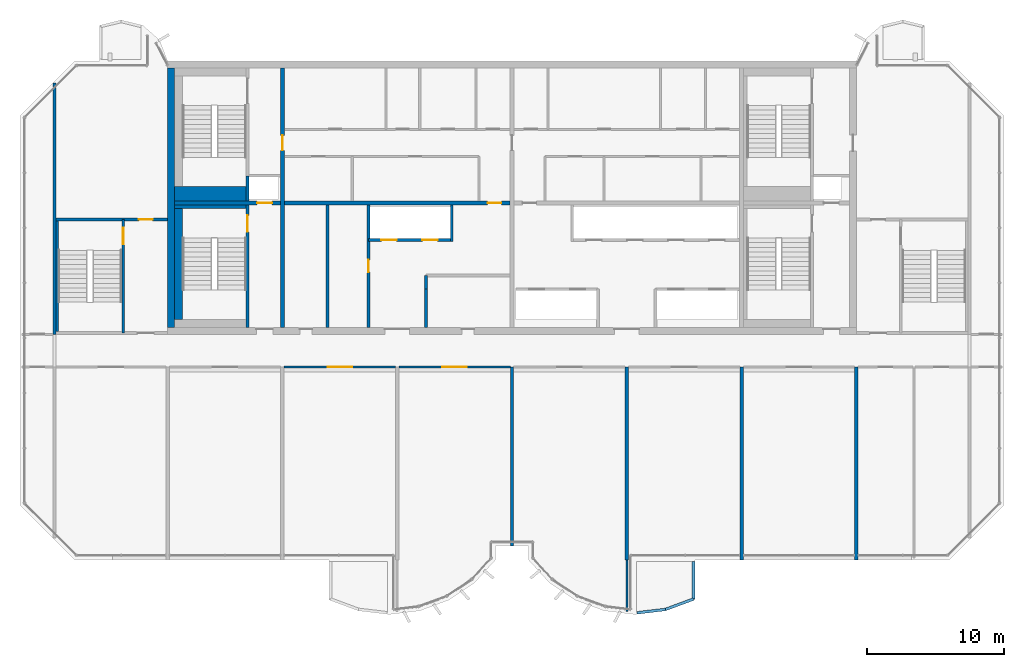
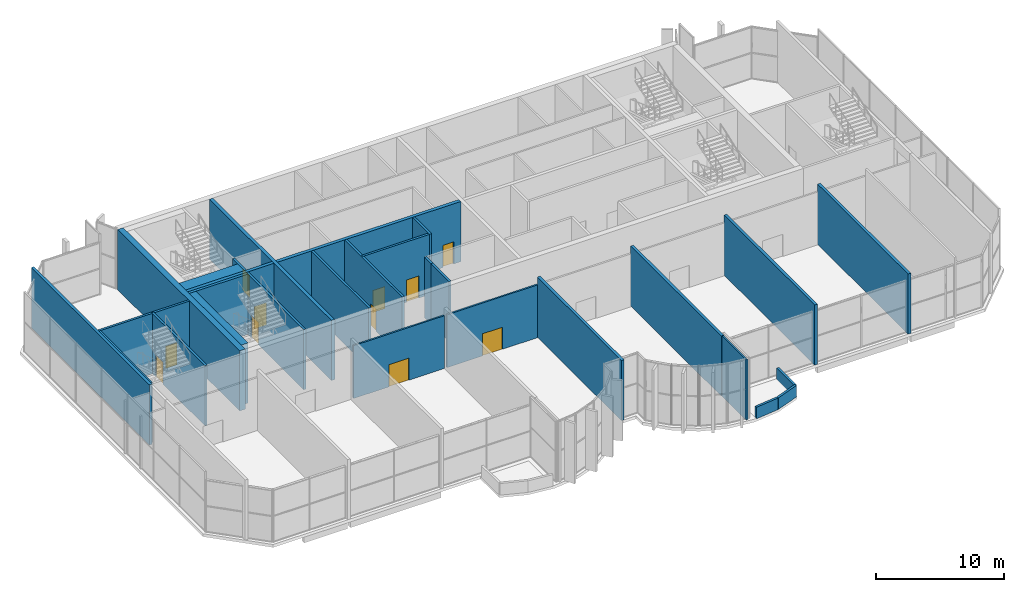
# One storey, part 13 of 17: 29 walls, 11 doors, 11 openings.
"""IFC4 building model written with IfcOpenShell, lengths in metres."""

from ifc_helpers import new_model, si_unit, direction, frame, frame_2d, origin, place, context, subcontext, project, spatial, rectangle, extrude, source, transform, mapped, material, layer, layer_set, type_object, element, fill, save


model = new_model("IFC4")

# Units and contexts
model_context = context("Model", 3, precision=1e-05, world=origin(), true_north=direction((0.0, 1.0)))
body_context = subcontext(model_context, "Body", "Model", "MODEL_VIEW")
ifc_project = project(units=[si_unit("LENGTHUNIT", "METRE"), si_unit("AREAUNIT", "SQUARE_METRE"), si_unit("VOLUMEUNIT", "CUBIC_METRE"), si_unit("PLANEANGLEUNIT", "RADIAN"), si_unit("MASSUNIT", "GRAM", prefix="KILO")], contexts=[model_context])

# Site, building, storey
site_placement = place(None, origin())
site = spatial("IfcSite", under=ifc_project, at=site_placement, CompositionType="ELEMENT")
building_placement = place(site_placement, origin())
building = spatial("IfcBuilding", under=site, at=building_placement, Name="Vanashikhar Sky Hotel", CompositionType="ELEMENT")
storey_placement = place(building_placement, frame((0.0, 0.0, 323.699951171875)))
storey = spatial("IfcBuildingStorey", under=building, at=storey_placement, Name="L77", CompositionType="ELEMENT", Elevation=323.699951171875)

# Wall
ifc_material_1 = material(Name="Concrete M50", Category="concrete")
ifc_layer_1 = layer(ifc_material_1, 0.5)
ifc_layer_set_1 = layer_set([ifc_layer_1], Name="RC core shell wall 500 Concrete M50")
wall_type_1 = type_object("IfcWallType", Name="RC core shell wall 500 Concrete M50", PredefinedType="SHEAR", material=ifc_layer_set_1)
shared_shape_1 = source(origin(), body_context, "Body", "SweptSolid", [
    extrude(rectangle(XDim=19.0, YDim=0.5, at=frame_2d((9.5, 0.0))), origin(), (0.0, 0.0, 1.0), 5.719970703125),
])
wall_1_placement = place(storey_placement, frame((25.449951171875, 22.5, 0.0), z_axis=(0.0, 0.0, 1.0), x_axis=(0.0, 1.0, 0.0)))
element("IfcWall", 1, at=wall_1_placement, inside=storey, type_object=wall_type_1, Name="KW-L77-KW", PredefinedType="SHEAR", context=body_context, shape_type="MappedRepresentation", body=[
    mapped(shared_shape_1, transform((0.0, 0.0, 0.0), scale=1.0)),
])

# Wall, opening, door
ifc_layer_2 = layer(ifc_material_1, 0.300048828125)
ifc_layer_set_2 = layer_set([ifc_layer_2], Name="RC core inner wall 300 Concrete M50")
wall_type_2 = type_object("IfcWallType", Name="RC core inner wall 300 Concrete M50", PredefinedType="SHEAR", material=ifc_layer_set_2)
shared_shape_2 = source(origin(), body_context, "Body", "SweptSolid", [
    extrude(rectangle(XDim=19.0, YDim=0.300048828125, at=frame_2d((9.5, 0.0))), origin(), (0.0, 0.0, 1.0), 5.719970703125),
])
wall_2_placement = place(storey_placement, frame((33.60009765625, 22.5, 0.0), z_axis=(0.0, 0.0, 1.0), x_axis=(0.0, 1.0, 0.0)))
wall_2 = element("IfcWall", 2, at=wall_2_placement, inside=storey, type_object=wall_type_2, Name="KW-L77-KX1", PredefinedType="SHEAR", context=body_context, shape_type="MappedRepresentation", body=[
    mapped(shared_shape_2, transform((0.0, 0.0, 0.0), scale=1.0)),
])
shared_shape_3 = source(origin(), body_context, "Body", "SweptSolid", [
    extrude(rectangle(XDim=1.10009765625, YDim=2.10009765625, at=frame_2d((0.550048828125, 1.050048828125))), frame((0.0, 0.16015625, 0.0), z_axis=(0.0, -1.0, 0.0), x_axis=(1.0, 0.0, 0.0)), (0.0, 0.0, 1.0), 0.320068359375),
])
opening_1_placement = place(wall_2_placement, frame((12.949951171875, 0.0, 0.0)))
opening_1 = element("IfcOpeningElement", 3, at=opening_1_placement, cuts=wall_2, Name="Opening DC-4-C", PredefinedType="OPENING", context=body_context, shape_type="MappedRepresentation", body=[
    mapped(shared_shape_3, transform((0.0, 0.0, 0.0), scale=1.0)),
])
ifc_material_2 = material(Name="Steel", Category="steel")
door_type_1 = type_object("IfcDoorType", Name="Service door 1100 FD60", OperationType="NOTDEFINED", PredefinedType="DOOR", material=ifc_material_2)
shared_shape_4 = source(origin(), body_context, "Body", "SweptSolid", [
    extrude(rectangle(XDim=1.10009765625, YDim=2.10009765625, at=frame_2d((0.550048828125, 1.050048828125))), frame((0.0, 0.02490234375, 0.0), z_axis=(0.0, -1.0, 0.0), x_axis=(1.0, 0.0, 0.0)), (0.0, 0.0, 1.0), 0.050048828125),
])
door_1_placement = place(opening_1_placement, origin())
door_1 = element("IfcDoor", 4, at=door_1_placement, inside=storey, type_object=door_type_1, Name="Service door 1100 FD60", OperationType="SINGLE_SWING_RIGHT", OverallHeight=2.10009765625, OverallWidth=1.10009765625, PredefinedType="DOOR", context=body_context, shape_type="MappedRepresentation", body=[
    mapped(shared_shape_4, transform((0.0, 0.0, 0.0), scale=1.0)),
])
fill(opening_1, door_1)

shared_shape_5 = source(origin(), body_context, "Body", "SweptSolid", [
    extrude(rectangle(XDim=7.75, YDim=0.300048828125, at=frame_2d((3.875, 0.0))), origin(), (0.0, 0.0, 1.0), 5.719970703125),
])
wall_3_placement = place(storey_placement, frame((25.699951171875, 31.60009765625, 0.0), z_axis=(0.0, 0.0, 1.0), x_axis=(1.0, 0.0, 0.0)))
wall_3 = element("IfcWall", 5, at=wall_3_placement, inside=storey, type_object=wall_type_2, Name="KW-L77-KY1", PredefinedType="SHEAR", context=body_context, shape_type="MappedRepresentation", body=[
    mapped(shared_shape_5, transform((0.0, 0.0, 0.0), scale=1.0)),
])
opening_2_placement = place(wall_3_placement, frame((6.050048828125, 0.0, 0.0)))
opening_2 = element("IfcOpeningElement", 6, at=opening_2_placement, cuts=wall_3, Name="Opening LD", PredefinedType="OPENING", context=body_context, shape_type="MappedRepresentation", body=[
    mapped(shared_shape_3, transform((0.0, 0.0, 0.0), scale=1.0)),
])
ifc_material_3 = material(Name="Stainless steel", Category="steel")
door_type_2 = type_object("IfcDoorType", Name="Lift landing door 1100", OperationType="NOTDEFINED", PredefinedType="DOOR", material=ifc_material_3)
door_2_placement = place(opening_2_placement, origin())
door_2 = element("IfcDoor", 7, at=door_2_placement, inside=storey, type_object=door_type_2, Name="Lift landing door 1100", OperationType="SLIDING_TO_LEFT", OverallHeight=2.10009765625, OverallWidth=1.10009765625, PredefinedType="DOOR", context=body_context, shape_type="MappedRepresentation", body=[
    mapped(shared_shape_4, transform((0.0, 0.0, 0.0), scale=1.0)),
])
fill(opening_2, door_2)

shared_shape_6 = source(origin(), body_context, "Body", "SweptSolid", [
    extrude(rectangle(XDim=16.5, YDim=0.300048828125, at=frame_2d((8.25, 0.0))), origin(), (0.0, 0.0, 1.0), 5.719970703125),
])
wall_4_placement = place(storey_placement, frame((33.75, 31.60009765625, 0.0), z_axis=(0.0, 0.0, 1.0), x_axis=(1.0, 0.0, 0.0)))
wall_4 = element("IfcWall", 8, at=wall_4_placement, inside=storey, type_object=wall_type_2, Name="KW-L77-KY2", PredefinedType="SHEAR", context=body_context, shape_type="MappedRepresentation", body=[
    mapped(shared_shape_6, transform((0.0, 0.0, 0.0), scale=1.0)),
])
shared_shape_7 = source(origin(), body_context, "Body", "SweptSolid", [
    extrude(rectangle(XDim=1.0, YDim=2.10009765625, at=frame_2d((0.5, 1.050048828125))), frame((0.0, 0.16015625, 0.0), z_axis=(0.0, -1.0, 0.0), x_axis=(1.0, 0.0, 0.0)), (0.0, 0.0, 1.0), 0.320068359375),
])
opening_3_placement = place(wall_4_placement, frame((14.875, 0.0, 0.0)))
opening_3 = element("IfcOpeningElement", 9, at=opening_3_placement, cuts=wall_4, Name="Opening DC-4", PredefinedType="OPENING", context=body_context, shape_type="MappedRepresentation", body=[
    mapped(shared_shape_7, transform((0.0, 0.0, 0.0), scale=1.0)),
])
door_type_3 = type_object("IfcDoorType", Name="Service door 1000 FD60", OperationType="NOTDEFINED", PredefinedType="DOOR", material=ifc_material_2)
shared_shape_8 = source(origin(), body_context, "Body", "SweptSolid", [
    extrude(rectangle(XDim=1.0, YDim=2.10009765625, at=frame_2d((0.5, 1.050048828125))), frame((0.0, 0.02490234375, 0.0), z_axis=(0.0, -1.0, 0.0), x_axis=(1.0, 0.0, 0.0)), (0.0, 0.0, 1.0), 0.050048828125),
])
door_3_placement = place(opening_3_placement, origin())
door_3 = element("IfcDoor", 10, at=door_3_placement, inside=storey, type_object=door_type_3, Name="Service door 1000 FD60", OperationType="SINGLE_SWING_LEFT", OverallHeight=2.10009765625, OverallWidth=1.0, PredefinedType="DOOR", context=body_context, shape_type="MappedRepresentation", body=[
    mapped(shared_shape_8, transform((0.0, 0.0, 0.0), scale=1.0)),
])
fill(opening_3, door_3)

# Walls
ifc_layer_3 = layer(ifc_material_1, 0.25)
ifc_layer_set_3 = layer_set([ifc_layer_3], Name="RC shear wall 250 Concrete M50")
wall_type_3 = type_object("IfcWallType", Name="RC shear wall 250 Concrete M50", PredefinedType="SHEAR", material=ifc_layer_set_3)
shared_shape_9 = source(origin(), body_context, "Body", "SweptSolid", [
    extrude(rectangle(XDim=18.39990234375, YDim=0.25, at=frame_2d((9.199951171875, 0.0))), origin(), (0.0, 0.0, 1.0), 5.719970703125),
])
wall_5_placement = place(storey_placement, frame((16.925048828125, 22.0, 0.0), z_axis=(0.0, 0.0, 1.0), x_axis=(0.0, 1.0, 0.0)))
element("IfcWall", 11, at=wall_5_placement, inside=storey, type_object=wall_type_3, Name="CW-L77-XW03-2", PredefinedType="SHEAR", context=body_context, shape_type="MappedRepresentation", body=[
    mapped(shared_shape_9, transform((0.0, 0.0, 0.0), scale=1.0)),
])
shared_shape_10 = source(origin(), body_context, "Body", "SweptSolid", [
    extrude(rectangle(XDim=14.10009765625, YDim=0.25, at=frame_2d((7.050048828125, 0.0))), origin(), (0.0, 0.0, 1.0), 5.719970703125),
])
for number, where, z_axis, x_axis, name in (
    (12, (58.800048828125, 5.5, 0.0), (0.0, 0.0, 1.0), (0.0, 1.0, 0.0), "CW-L77-XW08-1"),
    (13, (67.199951171875, 5.5, 0.0), (0.0, 0.0, 1.0), (0.0, 1.0, 0.0), "CW-L77-XW09-1"),
    (14, (75.60009765625, 5.5, 0.0), (0.0, 0.0, 1.0), (0.0, 1.0, 0.0), "CW-L77-XW10-1"),
):
    element("IfcWall", number, at=place(storey_placement, frame(where, z_axis=z_axis, x_axis=x_axis)), inside=storey, type_object=wall_type_3, Name=name, PredefinedType="SHEAR", context=body_context, shape_type="MappedRepresentation", body=[
        mapped(shared_shape_10, transform((0.0, 0.0, 0.0), scale=1.0)),
    ])
shared_shape_11 = source(origin(), body_context, "Body", "SweptSolid", [
    extrude(rectangle(XDim=13.10009765625, YDim=0.25, at=frame_2d((6.550048828125, 0.0))), origin(), (0.0, 0.0, 1.0), 5.719970703125),
])
wall_6_placement = place(storey_placement, frame((50.39990234375, 6.5, 0.0), z_axis=(0.0, 0.0, 1.0), x_axis=(0.0, 1.0, 0.0)))
element("IfcWall", 15, at=wall_6_placement, inside=storey, type_object=wall_type_3, Name="CW-L77-XW07-1", PredefinedType="SHEAR", context=body_context, shape_type="MappedRepresentation", body=[
    mapped(shared_shape_11, transform((0.0, 0.0, 0.0), scale=1.0)),
])
ifc_layer_4 = layer(ifc_material_1, 0.199951171875)
ifc_layer_set_4 = layer_set([ifc_layer_4], Name="Parapet 200")
wall_type_4 = type_object("IfcWallType", Name="Parapet 200", PredefinedType="PARAPET", material=ifc_layer_set_4)
shared_shape_12 = source(origin(), body_context, "Body", "SweptSolid", [
    extrude(rectangle(XDim=2.10498046875, YDim=0.199951171875, at=frame_2d((1.052490234375, 0.0))), origin(), (0.0, 0.0, 1.0), 1.10009765625),
])
wall_7_placement = place(storey_placement, frame((61.63037109375, 1.867919921875, -0.050048828125), z_axis=(0.0, 0.0, 1.0), x_axis=(-0.992992163316, -0.118180216587, 0.0)))
element("IfcWall", 16, at=wall_7_placement, inside=storey, type_object=wall_type_4, Name="Roof parapet", PredefinedType="PARAPET", context=body_context, shape_type="MappedRepresentation", body=[
    mapped(shared_shape_12, transform((0.0, 0.0, 0.0), scale=1.0)),
])
shared_shape_13 = source(origin(), body_context, "Body", "SweptSolid", [
    extrude(rectangle(XDim=2.7314453125, YDim=0.199951171875, at=frame_2d((1.36572265625, 0.0))), origin(), (0.0, 0.0, 1.0), 1.10009765625),
])
wall_8_placement = place(storey_placement, frame((63.680908203125, 5.360107421875, -0.050048828125), z_axis=(0.0, 0.0, 1.0), x_axis=(0.0, -1.0, 0.0)))
element("IfcWall", 17, at=wall_8_placement, inside=storey, type_object=wall_type_4, Name="Roof parapet", PredefinedType="PARAPET", context=body_context, shape_type="MappedRepresentation", body=[
    mapped(shared_shape_13, transform((0.0, 0.0, 0.0), scale=1.0)),
])
shared_shape_14 = source(origin(), body_context, "Body", "SweptSolid", [
    extrude(rectangle(XDim=2.18701171875, YDim=0.199951171875, at=frame_2d((1.093505859375, 0.0))), origin(), (0.0, 0.0, 1.0), 1.10009765625),
])
wall_9_placement = place(storey_placement, frame((63.680908203125, 2.628662109375, -0.050048828125), z_axis=(0.0, 0.0, 1.0), x_axis=(-0.937557411476, -0.347830562467, 0.0)))
element("IfcWall", 18, at=wall_9_placement, inside=storey, type_object=wall_type_4, Name="Roof parapet", PredefinedType="PARAPET", context=body_context, shape_type="MappedRepresentation", body=[
    mapped(shared_shape_14, transform((0.0, 0.0, 0.0), scale=1.0)),
])

# Wall, openings, doors
ifc_material_4 = material(Name="Concrete M40", Category="concrete")
ifc_layer_5 = layer(ifc_material_4, 0.199951171875)
ifc_layer_set_5 = layer_set([ifc_layer_5], Name="Shaft wall 200")
wall_type_5 = type_object("IfcWallType", Name="Shaft wall 200", PredefinedType="SOLIDWALL", material=ifc_layer_set_5)
shared_shape_15 = source(origin(), body_context, "Body", "SweptSolid", [
    extrude(rectangle(XDim=6.0, YDim=0.199951171875, at=frame_2d((3.0, 0.0))), origin(), (0.0, 0.0, 1.0), 5.719970703125),
])
wall_10_placement = place(storey_placement, frame((39.89990234375, 28.89990234375, 0.0), z_axis=(0.0, 0.0, 1.0), x_axis=(1.0, 0.0, 0.0)))
wall_10 = element("IfcWall", 19, at=wall_10_placement, inside=storey, type_object=wall_type_5, Name="Shaft wall 200", PredefinedType="SOLIDWALL", context=body_context, shape_type="MappedRepresentation", body=[
    mapped(shared_shape_15, transform((0.0, 0.0, 0.0), scale=1.0)),
])
shared_shape_16 = source(origin(), body_context, "Body", "SweptSolid", [
    extrude(rectangle(XDim=1.10009765625, YDim=2.10009765625, at=frame_2d((0.550048828125, 1.050048828125))), frame((0.0, 0.10986328125, 0.0), z_axis=(0.0, -1.0, 0.0), x_axis=(1.0, 0.0, 0.0)), (0.0, 0.0, 1.0), 0.219970703125),
])
opening_4_placement = place(wall_10_placement, frame((0.949951171875, 0.0, 0.0)))
opening_4 = element("IfcOpeningElement", 20, at=opening_4_placement, cuts=wall_10, Name="Opening LD", PredefinedType="OPENING", context=body_context, shape_type="MappedRepresentation", body=[
    mapped(shared_shape_16, transform((0.0, 0.0, 0.0), scale=1.0)),
])
opening_5_placement = place(wall_10_placement, frame((3.949951171875, 0.0, 0.0)))
opening_5 = element("IfcOpeningElement", 21, at=opening_5_placement, cuts=wall_10, Name="Opening LD", PredefinedType="OPENING", context=body_context, shape_type="MappedRepresentation", body=[
    mapped(shared_shape_16, transform((0.0, 0.0, 0.0), scale=1.0)),
])
door_4_placement = place(opening_4_placement, origin())
door_4 = element("IfcDoor", 22, at=door_4_placement, inside=storey, type_object=door_type_2, Name="Lift landing door 1100", OperationType="SLIDING_TO_LEFT", OverallHeight=2.10009765625, OverallWidth=1.10009765625, PredefinedType="DOOR", context=body_context, shape_type="MappedRepresentation", body=[
    mapped(shared_shape_4, transform((0.0, 0.0, 0.0), scale=1.0)),
])
fill(opening_4, door_4)
door_5_placement = place(opening_5_placement, origin())
door_5 = element("IfcDoor", 23, at=door_5_placement, inside=storey, type_object=door_type_2, Name="Lift landing door 1100", OperationType="SLIDING_TO_RIGHT", OverallHeight=2.10009765625, OverallWidth=1.10009765625, PredefinedType="DOOR", context=body_context, shape_type="MappedRepresentation", body=[
    mapped(shared_shape_4, transform((0.0, 0.0, 0.0), scale=1.0)),
])
fill(opening_5, door_5)

# Wall
ifc_material_5 = material(Name="Gypsum board partition")
ifc_layer_6 = layer(ifc_material_5, 0.14990234375)
ifc_layer_set_6 = layer_set([ifc_layer_6], Name="Service partition 150")
wall_type_6 = type_object("IfcWallType", Name="Service partition 150", PredefinedType="PARTITIONING", material=ifc_layer_set_6)
shared_shape_17 = source(origin(), body_context, "Body", "SweptSolid", [
    extrude(rectangle(XDim=1.0, YDim=0.199951171875, at=frame_2d((0.5, 0.0))), origin(), (0.0, 0.0, 1.0), 5.719970703125),
])
wall_11_placement = place(storey_placement, frame((44.10009765625, 25.300048828125, 0.0), z_axis=(0.0, 0.0, 1.0), x_axis=(0.0, 1.0, 0.0)))
element("IfcWall", 24, at=wall_11_placement, inside=storey, type_object=wall_type_6, Name="Service partition 150", PredefinedType="PARTITIONING", context=body_context, shape_type="MappedRepresentation", body=[
    mapped(shared_shape_17, transform((0.0, 0.0, 0.0), scale=1.0)),
])

# Wall, opening, door
ifc_layer_7 = layer(ifc_material_1, 0.199951171875)
ifc_layer_set_7 = layer_set([ifc_layer_7], Name="Stair wall 200")
wall_type_7 = type_object("IfcWallType", Name="Stair wall 200", PredefinedType="SOLIDWALL", material=ifc_layer_set_7)
shared_shape_18 = source(origin(), body_context, "Body", "SweptSolid", [
    extrude(rectangle(XDim=8.2998046875, YDim=0.199951171875, at=frame_2d((4.14990234375, 0.0))), origin(), (0.0, 0.0, 1.0), 5.719970703125),
])
wall_12_placement = place(storey_placement, frame((21.949951171875, 22.10009765625, 0.0), z_axis=(0.0, 0.0, 1.0), x_axis=(0.0, 1.0, 0.0)))
wall_12 = element("IfcWall", 25, at=wall_12_placement, inside=storey, type_object=wall_type_7, Name="Stair wall 200", PredefinedType="SOLIDWALL", context=body_context, shape_type="MappedRepresentation", body=[
    mapped(shared_shape_18, transform((0.0, 0.0, 0.0), scale=1.0)),
])
shared_shape_19 = source(origin(), body_context, "Body", "SweptSolid", [
    extrude(rectangle(XDim=1.199951171875, YDim=2.10009765625, at=frame_2d((0.60009765625, 1.050048828125))), frame((0.0, 0.10986328125, 0.0), z_axis=(0.0, -1.0, 0.0), x_axis=(1.0, 0.0, 0.0)), (0.0, 0.0, 1.0), 0.219970703125),
])
opening_6_placement = place(wall_12_placement, frame((6.5, 0.0, 0.0)))
opening_6 = element("IfcOpeningElement", 26, at=opening_6_placement, cuts=wall_12, Name="Opening DC-1", PredefinedType="OPENING", context=body_context, shape_type="MappedRepresentation", body=[
    mapped(shared_shape_19, transform((0.0, 0.0, 0.0), scale=1.0)),
])
door_type_4 = type_object("IfcDoorType", Name="Stair door 1200 FD120", OperationType="NOTDEFINED", PredefinedType="DOOR", material=ifc_material_2)
shared_shape_20 = source(origin(), body_context, "Body", "SweptSolid", [
    extrude(rectangle(XDim=1.199951171875, YDim=2.10009765625, at=frame_2d((0.60009765625, 1.050048828125))), frame((0.0, 0.02490234375, 0.0), z_axis=(0.0, -1.0, 0.0), x_axis=(1.0, 0.0, 0.0)), (0.0, 0.0, 1.0), 0.050048828125),
])
door_6_placement = place(opening_6_placement, origin())
door_6 = element("IfcDoor", 27, at=door_6_placement, inside=storey, type_object=door_type_4, Name="Stair door 1200 FD120", OperationType="SINGLE_SWING_RIGHT", OverallHeight=2.10009765625, OverallWidth=1.199951171875, PredefinedType="DOOR", context=body_context, shape_type="MappedRepresentation", body=[
    mapped(shared_shape_20, transform((0.0, 0.0, 0.0), scale=1.0)),
])
fill(opening_6, door_6)

shared_shape_21 = source(origin(), body_context, "Body", "SweptSolid", [
    extrude(rectangle(XDim=8.949951171875, YDim=0.199951171875, at=frame_2d((4.47509765625, 0.0))), origin(), (0.0, 0.0, 1.0), 5.719970703125),
])
wall_13_placement = place(storey_placement, frame((39.89990234375, 22.5, 0.0), z_axis=(0.0, 0.0, 1.0), x_axis=(0.0, 1.0, 0.0)))
wall_13 = element("IfcWall", 28, at=wall_13_placement, inside=storey, type_object=wall_type_6, Name="Service partition 150", PredefinedType="PARTITIONING", context=body_context, shape_type="MappedRepresentation", body=[
    mapped(shared_shape_21, transform((0.0, 0.0, 0.0), scale=1.0)),
])
shared_shape_22 = source(origin(), body_context, "Body", "SweptSolid", [
    extrude(rectangle(XDim=0.89990234375, YDim=2.10009765625, at=frame_2d((0.449951171875, 1.050048828125))), frame((0.0, 0.10986328125, 0.0), z_axis=(0.0, -1.0, 0.0), x_axis=(1.0, 0.0, 0.0)), (0.0, 0.0, 1.0), 0.219970703125),
])
opening_7_placement = place(wall_13_placement, frame((4.050048828125, 0.0, 0.0)))
opening_7 = element("IfcOpeningElement", 29, at=opening_7_placement, cuts=wall_13, Name="Opening DC-4-A", PredefinedType="OPENING", context=body_context, shape_type="MappedRepresentation", body=[
    mapped(shared_shape_22, transform((0.0, 0.0, 0.0), scale=1.0)),
])
door_type_5 = type_object("IfcDoorType", Name="Service door 900 FD60", OperationType="NOTDEFINED", PredefinedType="DOOR", material=ifc_material_2)
shared_shape_23 = source(origin(), body_context, "Body", "SweptSolid", [
    extrude(rectangle(XDim=0.89990234375, YDim=2.10009765625, at=frame_2d((0.449951171875, 1.050048828125))), frame((0.0, 0.02490234375, 0.0), z_axis=(0.0, -1.0, 0.0), x_axis=(1.0, 0.0, 0.0)), (0.0, 0.0, 1.0), 0.050048828125),
])
door_7_placement = place(opening_7_placement, origin())
door_7 = element("IfcDoor", 30, at=door_7_placement, inside=storey, type_object=door_type_5, Name="Service door 900 FD60", OperationType="SINGLE_SWING_LEFT", OverallHeight=2.10009765625, OverallWidth=0.89990234375, PredefinedType="DOOR", context=body_context, shape_type="MappedRepresentation", body=[
    mapped(shared_shape_23, transform((0.0, 0.0, 0.0), scale=1.0)),
])
fill(opening_7, door_7)

# Walls
wall_14_placement = place(storey_placement, frame((36.89990234375, 22.5, 0.0), z_axis=(0.0, 0.0, 1.0), x_axis=(0.0, 1.0, 0.0)))
element("IfcWall", 31, at=wall_14_placement, inside=storey, type_object=wall_type_6, Name="Service partition 150", PredefinedType="PARTITIONING", context=body_context, shape_type="MappedRepresentation", body=[
    mapped(shared_shape_21, transform((0.0, 0.0, 0.0), scale=1.0)),
])
shared_shape_24 = source(origin(), body_context, "Body", "SweptSolid", [
    extrude(rectangle(XDim=2.800048828125, YDim=0.199951171875, at=frame_2d((1.39990234375, 0.0))), origin(), (0.0, 0.0, 1.0), 5.719970703125),
])
wall_15_placement = place(storey_placement, frame((44.10009765625, 22.5, 0.0), z_axis=(0.0, 0.0, 1.0), x_axis=(0.0, 1.0, 0.0)))
element("IfcWall", 32, at=wall_15_placement, inside=storey, type_object=wall_type_6, Name="Service partition 150", PredefinedType="PARTITIONING", context=body_context, shape_type="MappedRepresentation", body=[
    mapped(shared_shape_24, transform((0.0, 0.0, 0.0), scale=1.0)),
])
shared_shape_25 = source(origin(), body_context, "Body", "SweptSolid", [
    extrude(rectangle(XDim=2.64990234375, YDim=0.199951171875, at=frame_2d((1.324951171875, 0.0))), origin(), (0.0, 0.0, 1.0), 5.719970703125),
])
wall_16_placement = place(storey_placement, frame((46.0, 28.800048828125, 0.0), z_axis=(0.0, 0.0, 1.0), x_axis=(0.0, 1.0, 0.0)))
element("IfcWall", 33, at=wall_16_placement, inside=storey, type_object=wall_type_5, Name="Shaft wall 200", PredefinedType="SOLIDWALL", context=body_context, shape_type="MappedRepresentation", body=[
    mapped(shared_shape_25, transform((0.0, 0.0, 0.0), scale=1.0)),
])

# Wall, opening, door
shared_shape_26 = source(origin(), body_context, "Body", "SweptSolid", [
    extrude(rectangle(XDim=8.949951171875, YDim=0.199951171875, at=frame_2d((4.47509765625, 0.0))), origin(), (0.0, 0.0, 1.0), 5.719970703125),
])
wall_17_placement = place(storey_placement, frame((31.050048828125, 22.5, 0.0), z_axis=(0.0, 0.0, 1.0), x_axis=(0.0, 1.0, 0.0)))
wall_17 = element("IfcWall", 34, at=wall_17_placement, inside=storey, type_object=wall_type_7, Name="Stair wall 200", PredefinedType="SOLIDWALL", context=body_context, shape_type="MappedRepresentation", body=[
    mapped(shared_shape_26, transform((0.0, 0.0, 0.0), scale=1.0)),
])
opening_8_placement = place(wall_17_placement, frame((7.0, 0.0, 0.0)))
opening_8 = element("IfcOpeningElement", 35, at=opening_8_placement, cuts=wall_17, Name="Opening DC-1", PredefinedType="OPENING", context=body_context, shape_type="MappedRepresentation", body=[
    mapped(shared_shape_19, transform((0.0, 0.0, 0.0), scale=1.0)),
])
door_8_placement = place(opening_8_placement, origin())
door_8 = element("IfcDoor", 36, at=door_8_placement, inside=storey, type_object=door_type_4, Name="Stair door 1200 FD120", OperationType="SINGLE_SWING_RIGHT", OverallHeight=2.10009765625, OverallWidth=1.199951171875, PredefinedType="DOOR", context=body_context, shape_type="MappedRepresentation", body=[
    mapped(shared_shape_20, transform((0.0, 0.0, 0.0), scale=1.0)),
])
fill(opening_8, door_8)

# Wall
shared_shape_27 = source(origin(), body_context, "Body", "SweptSolid", [
    extrude(rectangle(XDim=1.85009765625, YDim=0.199951171875, at=frame_2d((0.925048828125, 0.0))), origin(), (0.0, 0.0, 1.0), 5.719970703125),
])
wall_18_placement = place(storey_placement, frame((31.050048828125, 31.75, 0.0), z_axis=(0.0, 0.0, 1.0), x_axis=(0.0, 1.0, 0.0)))
element("IfcWall", 37, at=wall_18_placement, inside=storey, type_object=wall_type_5, Name="Shaft wall 200", PredefinedType="SOLIDWALL", context=body_context, shape_type="MappedRepresentation", body=[
    mapped(shared_shape_27, transform((0.0, 0.0, 0.0), scale=1.0)),
])

# Wall, opening, door
shared_shape_28 = source(origin(), body_context, "Body", "SweptSolid", [
    extrude(rectangle(XDim=8.14990234375, YDim=0.199951171875, at=frame_2d((4.074951171875, 0.0))), origin(), (0.0, 0.0, 1.0), 5.719970703125),
])
wall_19_placement = place(storey_placement, frame((17.050048828125, 30.39990234375, 0.0), z_axis=(0.0, 0.0, 1.0), x_axis=(1.0, 0.0, 0.0)))
wall_19 = element("IfcWall", 38, at=wall_19_placement, inside=storey, type_object=wall_type_7, Name="Stair wall 200", PredefinedType="SOLIDWALL", context=body_context, shape_type="MappedRepresentation", body=[
    mapped(shared_shape_28, transform((0.0, 0.0, 0.0), scale=1.0)),
])
shared_shape_29 = source(origin(), body_context, "Body", "SweptSolid", [
    extrude(rectangle(XDim=1.0, YDim=2.10009765625, at=frame_2d((0.5, 1.050048828125))), frame((0.0, 0.10986328125, 0.0), z_axis=(0.0, -1.0, 0.0), x_axis=(1.0, 0.0, 0.0)), (0.0, 0.0, 1.0), 0.219970703125),
])
opening_9_placement = place(wall_19_placement, frame((6.050048828125, 0.0, 0.0)))
opening_9 = element("IfcOpeningElement", 39, at=opening_9_placement, cuts=wall_19, Name="Opening DC-6", PredefinedType="OPENING", context=body_context, shape_type="MappedRepresentation", body=[
    mapped(shared_shape_29, transform((0.0, 0.0, 0.0), scale=1.0)),
])
door_type_6 = type_object("IfcDoorType", Name="Pocket door 1000 FD60", OperationType="NOTDEFINED", PredefinedType="DOOR", material=ifc_material_2)
door_9_placement = place(opening_9_placement, origin())
door_9 = element("IfcDoor", 40, at=door_9_placement, inside=storey, type_object=door_type_6, Name="Pocket door 1000 FD60", OperationType="SINGLE_SWING_RIGHT", OverallHeight=2.10009765625, OverallWidth=1.0, PredefinedType="DOOR", context=body_context, shape_type="MappedRepresentation", body=[
    mapped(shared_shape_8, transform((0.0, 0.0, 0.0), scale=1.0)),
])
fill(opening_9, door_9)

# Walls
ifc_layer_8 = layer(ifc_material_1, 0.25)
ifc_layer_set_8 = layer_set([ifc_layer_8], Name="Stair infill wall 250")
wall_type_8 = type_object("IfcWallType", Name="Stair infill wall 250", PredefinedType="SOLIDWALL", material=ifc_layer_set_8)
shared_shape_30 = source(origin(), body_context, "Body", "SweptSolid", [
    extrude(rectangle(XDim=5.25, YDim=0.25, at=frame_2d((2.625, 0.0))), origin(), (0.0, 0.0, 1.0), 5.719970703125),
])
wall_20_placement = place(storey_placement, frame((25.699951171875, 31.324951171875, 0.0), z_axis=(0.0, 0.0, 1.0), x_axis=(1.0, 0.0, 0.0)))
element("IfcWall", 41, at=wall_20_placement, inside=storey, type_object=wall_type_8, Name="Stair infill wall 250", PredefinedType="SOLIDWALL", context=body_context, shape_type="MappedRepresentation", body=[
    mapped(shared_shape_30, transform((0.0, 0.0, 0.0), scale=1.0)),
])
ifc_layer_9 = layer(ifc_material_1, 0.60009765625)
ifc_layer_set_9 = layer_set([ifc_layer_9], Name="Stair infill wall 600")
wall_type_9 = type_object("IfcWallType", Name="Stair infill wall 600", PredefinedType="SOLIDWALL", material=ifc_layer_set_9)
shared_shape_31 = source(origin(), body_context, "Body", "SweptSolid", [
    extrude(rectangle(XDim=8.099853515625, YDim=0.60009765625, at=frame_2d((4.0498046875, 0.0))), origin(), (0.0, 0.0, 1.0), 5.719970703125),
])
wall_21_placement = place(storey_placement, frame((26.0, 23.10009765625, 0.0), z_axis=(0.0, 0.0, 1.0), x_axis=(0.0, 1.0, 0.0)))
element("IfcWall", 42, at=wall_21_placement, inside=storey, type_object=wall_type_9, Name="Stair infill wall 600", PredefinedType="SOLIDWALL", context=body_context, shape_type="MappedRepresentation", body=[
    mapped(shared_shape_31, transform((0.0, 0.0, 0.0), scale=1.0)),
])
ifc_layer_10 = layer(ifc_material_1, 0.14990234375)
ifc_layer_set_10 = layer_set([ifc_layer_10], Name="Stair infill wall 150")
wall_type_10 = type_object("IfcWallType", Name="Stair infill wall 150", PredefinedType="SOLIDWALL", material=ifc_layer_set_10)
shared_shape_32 = source(origin(), body_context, "Body", "SweptSolid", [
    extrude(rectangle(XDim=8.10009765625, YDim=0.14990234375, at=frame_2d((4.050048828125, 0.0))), origin(), (0.0, 0.0, 1.0), 5.719970703125),
])
wall_22_placement = place(storey_placement, frame((17.125, 22.199951171875, 0.0), z_axis=(0.0, 0.0, 1.0), x_axis=(0.0, 1.0, 0.0)))
element("IfcWall", 43, at=wall_22_placement, inside=storey, type_object=wall_type_10, Name="Stair infill wall 150", PredefinedType="SOLIDWALL", context=body_context, shape_type="MappedRepresentation", body=[
    mapped(shared_shape_32, transform((0.0, 0.0, 0.0), scale=1.0)),
])
ifc_layer_11 = layer(ifc_material_1, 1.050048828125)
ifc_layer_set_11 = layer_set([ifc_layer_11], Name="Stair infill wall 1050")
wall_type_11 = type_object("IfcWallType", Name="Stair infill wall 1050", PredefinedType="SOLIDWALL", material=ifc_layer_set_11)
shared_shape_33 = source(origin(), body_context, "Body", "SweptSolid", [
    extrude(rectangle(XDim=5.25, YDim=1.050048828125, at=frame_2d((2.625, 0.0))), origin(), (0.0, 0.0, 1.0), 5.719970703125),
])
wall_23_placement = place(storey_placement, frame((25.699951171875, 32.27490234375, 0.0), z_axis=(0.0, 0.0, 1.0), x_axis=(1.0, 0.0, 0.0)))
element("IfcWall", 44, at=wall_23_placement, inside=storey, type_object=wall_type_11, Name="Stair infill wall 1050", PredefinedType="SOLIDWALL", context=body_context, shape_type="MappedRepresentation", body=[
    mapped(shared_shape_33, transform((0.0, 0.0, 0.0), scale=1.0)),
])

# Wall, opening, door
ifc_material_6 = material(Name="Gypsum plasterboard partition")
ifc_layer_12 = layer(ifc_material_6, 0.14990234375)
ifc_layer_set_12 = layer_set([ifc_layer_12], Name="Corridor and demising partition 150")
wall_type_12 = type_object("IfcWallType", Name="Corridor and demising partition 150", PredefinedType="PARTITIONING", material=ifc_layer_set_12)
shared_shape_34 = source(origin(), body_context, "Body", "SweptSolid", [
    extrude(rectangle(XDim=8.14990234375, YDim=0.14990234375, at=frame_2d((4.074951171875, 0.0))), origin(), (0.0, 0.0, 1.0), 5.02001953125),
])
wall_24_placement = place(storey_placement, frame((33.72509765625, 19.60009765625, 0.0), z_axis=(0.0, 0.0, 1.0), x_axis=(1.0, 0.0, 0.0)))
wall_24 = element("IfcWall", 45, at=wall_24_placement, inside=storey, type_object=wall_type_12, Name="W-L77-PW003", PredefinedType="PARTITIONING", context=body_context, shape_type="MappedRepresentation", body=[
    mapped(shared_shape_34, transform((0.0, 0.0, 0.0), scale=1.0)),
])
shared_shape_35 = source(origin(), body_context, "Body", "SweptSolid", [
    extrude(rectangle(XDim=1.800048828125, YDim=2.10009765625, at=frame_2d((0.89990234375, 1.050048828125))), frame((0.0, 0.0849609375, 0.0), z_axis=(0.0, -1.0, 0.0), x_axis=(1.0, 0.0, 0.0)), (0.0, 0.0, 1.0), 0.169921875),
])
opening_10_placement = place(wall_24_placement, frame((3.175048828125, 0.0, 0.0)))
opening_10 = element("IfcOpeningElement", 46, at=opening_10_placement, cuts=wall_24, Name="Opening D-03", PredefinedType="OPENING", context=body_context, shape_type="MappedRepresentation", body=[
    mapped(shared_shape_35, transform((0.0, 0.0, 0.0), scale=1.0)),
])
ifc_material_7 = material(Name="Timber fire door", Category="wood")
door_type_7 = type_object("IfcDoorType", Name="Double leaf door 1800 FD30S", OperationType="NOTDEFINED", PredefinedType="DOOR", material=ifc_material_7)
shared_shape_36 = source(origin(), body_context, "Body", "SweptSolid", [
    extrude(rectangle(XDim=1.800048828125, YDim=2.10009765625, at=frame_2d((0.89990234375, 1.050048828125))), frame((0.0, 0.02490234375, 0.0), z_axis=(0.0, -1.0, 0.0), x_axis=(1.0, 0.0, 0.0)), (0.0, 0.0, 1.0), 0.050048828125),
])
door_10_placement = place(opening_10_placement, origin())
door_10 = element("IfcDoor", 47, at=door_10_placement, inside=storey, type_object=door_type_7, Name="D-L77-003", OperationType="DOUBLE_DOOR_SINGLE_SWING", OverallHeight=2.10009765625, OverallWidth=1.800048828125, PredefinedType="DOOR", context=body_context, shape_type="MappedRepresentation", body=[
    mapped(shared_shape_36, transform((0.0, 0.0, 0.0), scale=1.0)),
])
fill(opening_10, door_10)

wall_25_placement = place(storey_placement, frame((42.125, 19.60009765625, 0.0), z_axis=(0.0, 0.0, 1.0), x_axis=(1.0, 0.0, 0.0)))
wall_25 = element("IfcWall", 48, at=wall_25_placement, inside=storey, type_object=wall_type_12, Name="W-L77-PW004", PredefinedType="PARTITIONING", context=body_context, shape_type="MappedRepresentation", body=[
    mapped(shared_shape_34, transform((0.0, 0.0, 0.0), scale=1.0)),
])
opening_11_placement = place(wall_25_placement, frame((3.175048828125, 0.0, 0.0)))
opening_11 = element("IfcOpeningElement", 49, at=opening_11_placement, cuts=wall_25, Name="Opening D-03", PredefinedType="OPENING", context=body_context, shape_type="MappedRepresentation", body=[
    mapped(shared_shape_35, transform((0.0, 0.0, 0.0), scale=1.0)),
])
door_11_placement = place(opening_11_placement, origin())
door_11 = element("IfcDoor", 50, at=door_11_placement, inside=storey, type_object=door_type_7, Name="D-L77-004", OperationType="DOUBLE_DOOR_SINGLE_SWING", OverallHeight=2.10009765625, OverallWidth=1.800048828125, PredefinedType="DOOR", context=body_context, shape_type="MappedRepresentation", body=[
    mapped(shared_shape_36, transform((0.0, 0.0, 0.0), scale=1.0)),
])
fill(opening_11, door_11)

# Wall
shared_shape_37 = source(origin(), body_context, "Body", "SweptSolid", [
    extrude(rectangle(XDim=3.778076171875, YDim=0.14990234375, at=frame_2d((1.88916015625, 0.0))), origin(), (0.0, 0.0, 1.0), 5.719970703125),
])
wall_26_placement = place(storey_placement, frame((58.800048828125, 1.721923828125, 0.0), z_axis=(0.0, 0.0, 1.0), x_axis=(0.0, 1.0, 0.0)))
element("IfcWall", 51, at=wall_26_placement, inside=storey, type_object=wall_type_12, Name="W-L77-PW012", PredefinedType="PARTITIONING", context=body_context, shape_type="MappedRepresentation", body=[
    mapped(shared_shape_37, transform((0.0, 0.0, 0.0), scale=1.0)),
])

save(model, "model.ifc")
